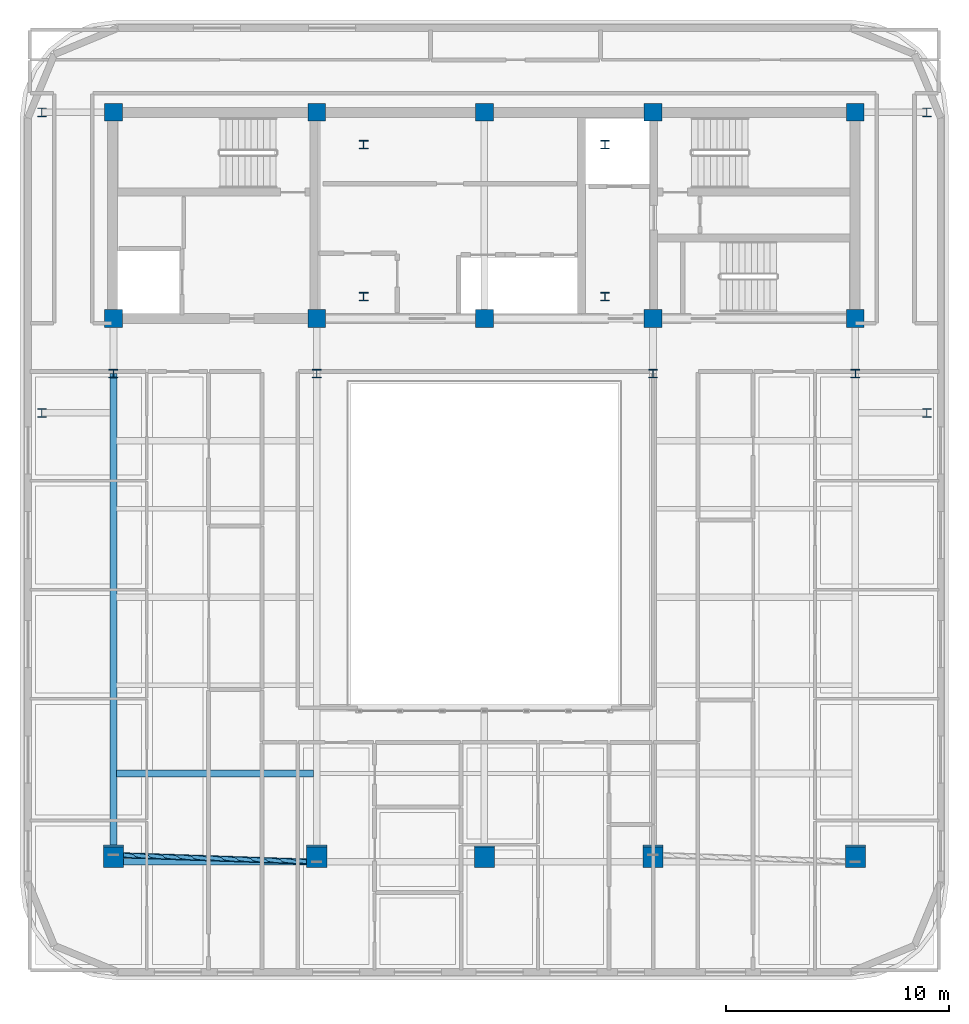
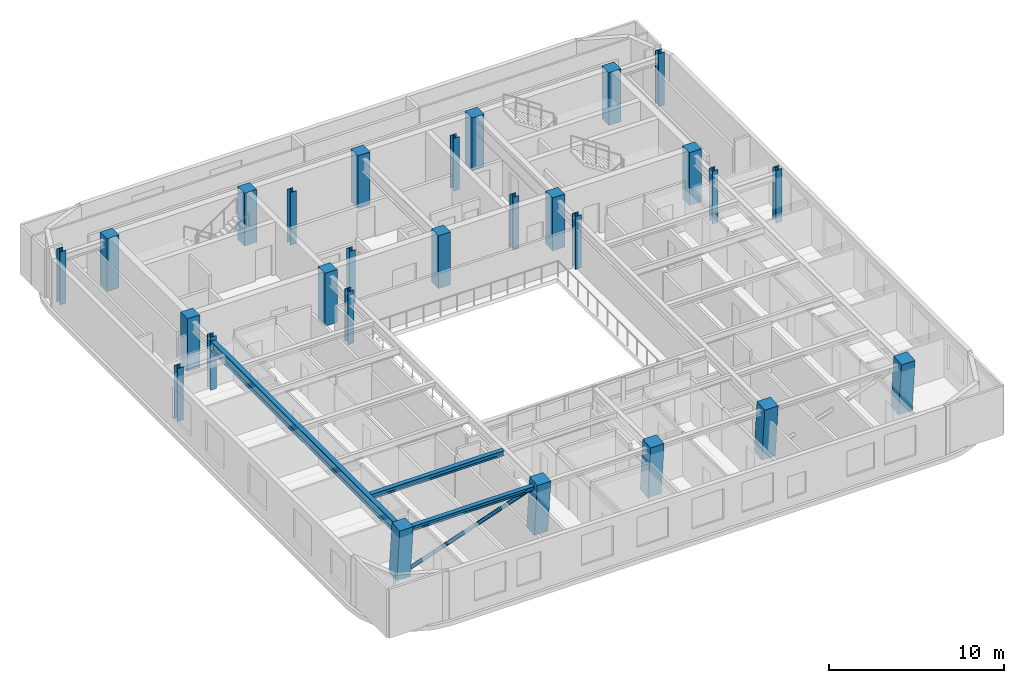
# One storey, part 1 of 13: 27 columns, 3 beams, 1 member.
"""IFC4 building model written with IfcOpenShell, lengths in metres."""

from ifc_helpers import new_model, si_unit, direction, frame, origin, origin_2d, place, context, subcontext, project, spatial, rectangle, hollow_circle, i_section, extrude, material, material_profile, profile_set, type_object, element, save


model = new_model("IFC4")

# Units and contexts
model_context = context("Model", 3, precision=1e-05, world=origin(), true_north=direction((0.0, 1.0)))
body_context = subcontext(model_context, "Body", "Model", "MODEL_VIEW")
ifc_project = project(units=[si_unit("LENGTHUNIT", "METRE"), si_unit("AREAUNIT", "SQUARE_METRE"), si_unit("VOLUMEUNIT", "CUBIC_METRE"), si_unit("PLANEANGLEUNIT", "RADIAN"), si_unit("MASSUNIT", "GRAM", prefix="KILO")], contexts=[model_context])

# Site, building, storey
site_placement = place(None, origin())
site = spatial("IfcSite", under=ifc_project, at=site_placement, CompositionType="ELEMENT")
building_placement = place(site_placement, origin())
building = spatial("IfcBuilding", under=site, at=building_placement, Name="Zarnavel Station Tower", CompositionType="ELEMENT")
storey_placement = place(building_placement, frame((0.0, 0.0, 247.300048828125)))
storey = spatial("IfcBuildingStorey", under=building, at=storey_placement, Name="L67", CompositionType="ELEMENT", Elevation=247.300048828125)

# Columns
ifc_material_1 = material(Name="Steel S355J2", Category="steel")
ifc_material_profile_1 = material_profile(ifc_material_1, i_section(OverallWidth=0.407958984375, OverallDepth=0.39990234375, WebThickness=0.02490234375, FlangeThickness=0.0390625, FilletRadius=0.014892578125, at=origin_2d()), Name="HD400x287")
ifc_profile_set_1 = profile_set([ifc_material_profile_1], Name="Steel S355J2")
column_type_1 = type_object("IfcColumnType", Name="EC_HD287", PredefinedType="COLUMN", material=ifc_profile_set_1)
for number, where, z_axis, x_axis, name in (
    (1, (9.0, 23.60009765625, 0.0), (0.0, 0.0, 1.0), (1.0, 0.0, 0.0), "L67 Inner Wing Spine Column 1-1"),
    (2, (9.0, 37.050048828125, 0.0), (0.0, 0.0, 1.0), (1.0, 0.0, 0.0), "L67 Inner Wing Spine Column 1-2"),
    (3, (48.60009765625, 23.60009765625, 0.0), (0.0, 0.0, 1.0), (1.0, 0.0, 0.0), "L67 Inner Wing Spine Column 2-1"),
    (4, (48.60009765625, 37.050048828125, 0.0), (0.0, 0.0, 1.0), (1.0, 0.0, 0.0), "L67 Inner Wing Spine Column 2-2"),
):
    element("IfcColumn", number, at=place(storey_placement, frame(where, z_axis=z_axis, x_axis=x_axis)), inside=storey, type_object=column_type_1, Name=name, PredefinedType="COLUMN", context=body_context, shape_type="SweptSolid", body=[
        extrude(i_section(OverallWidth=0.407958984375, OverallDepth=0.39990234375, WebThickness=0.02490234375, FlangeThickness=0.0390625, FilletRadius=0.014892578125, at=origin_2d()), origin(), (0.0, 0.0, 1.0), 3.699951171875),
    ])
ifc_material_2 = material(Name="Steel S355J2", Category="steel")
ifc_material_profile_2 = material_profile(ifc_material_2, i_section(OverallWidth=0.39501953125, OverallDepth=0.3798828125, WebThickness=0.018798828125, FlangeThickness=0.0302734375, FilletRadius=0.014892578125, at=origin_2d()), Name="HD400x237")
ifc_profile_set_2 = profile_set([ifc_material_profile_2], Name="Steel S355J2")
column_type_2 = type_object("IfcColumnType", Name="IC_HD237", PredefinedType="COLUMN", material=ifc_profile_set_2)
for number, where, z_axis, x_axis, name in (
    (5, (23.39990234375, 28.800048828125, 0.0), (0.0, 0.0, 1.0), (1.0, 0.0, 0.0), "L67 Mast Spine Column 1"),
    (6, (34.199951171875, 28.800048828125, 0.0), (0.0, 0.0, 1.0), (1.0, 0.0, 0.0), "L67 Mast Spine Column 2"),
    (7, (34.199951171875, 35.60009765625, 0.0), (0.0, 0.0, 1.0), (1.0, 0.0, 0.0), "L67 Mast Spine Column 3"),
    (8, (23.39990234375, 35.60009765625, 0.0), (0.0, 0.0, 1.0), (1.0, 0.0, 0.0), "L67 Mast Spine Column 4"),
    (9, (12.199951171875, 25.35009765625, 0.0), (0.0, 0.0, 1.0), (1.0, 0.0, 0.0), "L67 Inner Spine Column 1"),
    (10, (21.300048828125, 25.35009765625, 0.0), (0.0, 0.0, 1.0), (1.0, 0.0, 0.0), "L67 Inner Spine Column 2"),
    (11, (36.35009765625, 25.35009765625, 0.0), (0.0, 0.0, 1.0), (1.0, 0.0, 0.0), "L67 Inner Spine Column 4"),
    (12, (45.39990234375, 25.35009765625, 0.0), (0.0, 0.0, 1.0), (1.0, 0.0, 0.0), "L67 Inner Spine Column 5"),
):
    element("IfcColumn", number, at=place(storey_placement, frame(where, z_axis=z_axis, x_axis=x_axis)), inside=storey, type_object=column_type_2, Name=name, PredefinedType="COLUMN", context=body_context, shape_type="SweptSolid", body=[
        extrude(i_section(OverallWidth=0.39501953125, OverallDepth=0.3798828125, WebThickness=0.018798828125, FlangeThickness=0.0302734375, FilletRadius=0.014892578125, at=origin_2d()), origin(), (0.0, 0.0, 1.0), 3.699951171875),
    ])
ifc_material_3 = material(Name="Concrete C45/55", Category="concrete")
ifc_material_profile_3 = material_profile(ifc_material_3, rectangle(XDim=0.800048828125, YDim=0.800048828125, at=origin_2d()), Name="RC800x800")
ifc_profile_set_3 = profile_set([ifc_material_profile_3], Name="Concrete C45/55")
column_type_3 = type_object("IfcColumnType", Name="IC_RC800", PredefinedType="COLUMN", material=ifc_profile_set_3)
for number, where, z_axis, x_axis, name in (
    (13, (12.199951171875, 27.820068359375, 0.0), (0.0, 0.0, 1.0), (1.0, 0.0, 0.0), "L67 Core Spine Column 1-1"),
    (14, (12.199951171875, 37.050048828125, 0.0), (0.0, 0.0, 1.0), (1.0, 0.0, 0.0), "L67 Core Spine Column 1-2"),
    (15, (21.300048828125, 27.820068359375, 0.0), (0.0, 0.0, 1.0), (1.0, 0.0, 0.0), "L67 Core Spine Column 2-1"),
    (16, (21.300048828125, 37.050048828125, 0.0), (0.0, 0.0, 1.0), (1.0, 0.0, 0.0), "L67 Core Spine Column 2-2"),
    (17, (28.800048828125, 27.820068359375, 0.0), (0.0, 0.0, 1.0), (1.0, 0.0, 0.0), "L67 Core Spine Column 3-1"),
    (18, (28.800048828125, 37.050048828125, 0.0), (0.0, 0.0, 1.0), (1.0, 0.0, 0.0), "L67 Core Spine Column 3-2"),
    (19, (36.35009765625, 27.820068359375, 0.0), (0.0, 0.0, 1.0), (1.0, 0.0, 0.0), "L67 Core Spine Column 4-1"),
    (20, (36.35009765625, 37.050048828125, 0.0), (0.0, 0.0, 1.0), (1.0, 0.0, 0.0), "L67 Core Spine Column 4-2"),
    (21, (45.39990234375, 27.820068359375, 0.0), (0.0, 0.0, 1.0), (1.0, 0.0, 0.0), "L67 Core Spine Column 5-1"),
    (22, (45.39990234375, 37.050048828125, 0.0), (0.0, 0.0, 1.0), (1.0, 0.0, 0.0), "L67 Core Spine Column 5-2"),
):
    element("IfcColumn", number, at=place(storey_placement, frame(where, z_axis=z_axis, x_axis=x_axis)), inside=storey, type_object=column_type_3, Name=name, PredefinedType="COLUMN", context=body_context, shape_type="SweptSolid", body=[
        extrude(rectangle(XDim=0.800048828125, YDim=0.800048828125, at=origin_2d()), origin(), (0.0, 0.0, 1.0), 3.699951171875),
    ])
ifc_material_4 = material(Name="Concrete C50/60", Category="concrete")
ifc_material_profile_4 = material_profile(ifc_material_4, rectangle(XDim=0.89990234375, YDim=0.89990234375, at=origin_2d()), Name="RC900x900")
ifc_profile_set_4 = profile_set([ifc_material_profile_4], Name="Concrete C50/60")
column_type_4 = type_object("IfcColumnType", Name="MC_RC900", PredefinedType="COLUMN", material=ifc_profile_set_4)
for number, where, z_axis, x_axis, name in (
    (23, (12.199951171875, 3.817626953125, 0.0), (0.0, -0.090227632116, 0.995921168769), (1.0, 0.0, 0.0), "L67 Raked South Mega-Column 1"),
    (24, (21.300048828125, 3.817626953125, 0.0), (0.0, -0.090227632116, 0.995921168769), (1.0, 0.0, 0.0), "L67 Raked South Mega-Column 2"),
    (25, (28.800048828125, 3.817626953125, 0.0), (0.0, -0.090227632116, 0.995921168769), (1.0, 0.0, 0.0), "L67 Raked South Mega-Column 3"),
    (26, (36.35009765625, 3.817626953125, 0.0), (0.0, -0.090227632116, 0.995921168769), (1.0, 0.0, 0.0), "L67 Raked South Mega-Column 4"),
    (27, (45.39990234375, 3.817626953125, 0.0), (0.0, -0.090227632116, 0.995921168769), (1.0, 0.0, 0.0), "L67 Raked South Mega-Column 5"),
):
    element("IfcColumn", number, at=place(storey_placement, frame(where, z_axis=z_axis, x_axis=x_axis)), inside=storey, type_object=column_type_4, Name=name, PredefinedType="COLUMN", context=body_context, shape_type="SweptSolid", body=[
        extrude(rectangle(XDim=0.89990234375, YDim=0.89990234375, at=origin_2d()), origin(), (0.0, 0.0, 1.0), 3.715087890625),
    ])

# Member
ifc_material_5 = material(Name="Steel S355J2", Category="steel")
ifc_material_profile_5 = material_profile(ifc_material_5, hollow_circle(Radius=0.122314453125, WallThickness=0.010009765625, at=origin_2d()), Name="CHS244.5x10")
ifc_profile_set_5 = profile_set([ifc_material_profile_5], Name="Steel S355J2")
member_type = type_object("IfcMemberType", Name="DB_EXT_CHS245", PredefinedType="BRACE", material=ifc_profile_set_5)
member_placement = place(storey_placement, frame((12.199951171875, 3.817626953125, 0.0), z_axis=(0.935604187908, -0.031852811999, 0.351610867205), x_axis=(0.034025465636, 0.999420966204, 0.0)))
element("IfcMember", 28, at=member_placement, inside=storey, type_object=member_type, Name="L67 Persian Exterior Diagonal Frame Brace 1", PredefinedType="BRACE", context=body_context, shape_type="SweptSolid", body=[
    extrude(hollow_circle(Radius=0.122314453125, WallThickness=0.010009765625, at=origin_2d()), origin(), (0.0, 0.0, 1.0), 9.726318359375),
])

# Beams
ifc_material_6 = material(Name="Steel S355J2", Category="steel")
ifc_material_profile_6 = material_profile(ifc_material_6, i_section(OverallWidth=0.300048828125, OverallDepth=0.320068359375, WebThickness=0.011474609375, FlangeThickness=0.0205078125, FilletRadius=0.027099609375, at=origin_2d()), Name="HEB320")
ifc_profile_set_6 = profile_set([ifc_material_profile_6], Name="Steel S355J2")
beam_type_1 = type_object("IfcBeamType", Name="EB_HEB320", PredefinedType="SPANDREL", material=ifc_profile_set_6)
beam_1_placement = place(storey_placement, frame((12.199951171875, 3.5078125, 3.260009765625), z_axis=(1.0, 0.0, 0.0), x_axis=(0.0, 1.0, 0.0)))
element("IfcBeam", 29, at=beam_1_placement, inside=storey, type_object=beam_type_1, Name="L67 South Raked Spandrel 1", PredefinedType="SPANDREL", context=body_context, shape_type="SweptSolid", body=[
    extrude(i_section(OverallWidth=0.300048828125, OverallDepth=0.320068359375, WebThickness=0.011474609375, FlangeThickness=0.0205078125, FilletRadius=0.027099609375, at=origin_2d()), origin(), (0.0, 0.0, 1.0), 9.10009765625),
])
ifc_material_7 = material(Name="Steel S355J2", Category="steel")
ifc_material_profile_7 = material_profile(ifc_material_7, i_section(OverallWidth=0.300048828125, OverallDepth=0.35009765625, WebThickness=0.010009765625, FlangeThickness=0.017578125, FilletRadius=0.027099609375, at=origin_2d()), Name="HEA360")
ifc_profile_set_7 = profile_set([ifc_material_profile_7], Name="Steel S355J2")
beam_type_2 = type_object("IfcBeamType", Name="FB_HEA360", PredefinedType="BEAM", material=ifc_profile_set_7)
beam_2_placement = place(storey_placement, frame((12.344970703125, 7.456298828125, 3.244873046875), z_axis=(1.0, 0.0, 0.0), x_axis=(0.0, 1.0, 0.0)))
element("IfcBeam", 30, at=beam_2_placement, inside=storey, type_object=beam_type_2, Name="L67 West Bay Beam 1", PredefinedType="BEAM", context=body_context, shape_type="SweptSolid", body=[
    extrude(i_section(OverallWidth=0.300048828125, OverallDepth=0.35009765625, WebThickness=0.010009765625, FlangeThickness=0.017578125, FilletRadius=0.027099609375, at=origin_2d()), origin(), (0.0, 0.0, 1.0), 8.81005859375),
])
ifc_material_8 = material(Name="Steel S355J2", Category="steel")
ifc_material_profile_8 = material_profile(ifc_material_8, i_section(OverallWidth=0.300048828125, OverallDepth=0.699951171875, WebThickness=0.01708984375, FlangeThickness=0.031982421875, FilletRadius=0.027099609375, at=origin_2d()), Name="HEB700")
ifc_profile_set_8 = profile_set([ifc_material_profile_8], Name="Steel S355J2")
beam_type_3 = type_object("IfcBeamType", Name="FG_HEB700", PredefinedType="USERDEFINED", material=ifc_profile_set_8)
beam_3_placement = place(storey_placement, frame((12.199951171875, 3.5078125, 3.070068359375), z_axis=(0.0, 1.0, 0.0), x_axis=(-1.0, 0.0, 0.0)))
element("IfcBeam", 31, at=beam_3_placement, inside=storey, type_object=beam_type_3, Name="L67 South-Zone NS Girder 1", ObjectType="GIRDER", PredefinedType="USERDEFINED", context=body_context, shape_type="SweptSolid", body=[
    extrude(i_section(OverallWidth=0.300048828125, OverallDepth=0.699951171875, WebThickness=0.01708984375, FlangeThickness=0.031982421875, FilletRadius=0.027099609375, at=origin_2d()), origin(), (0.0, 0.0, 1.0), 21.84228515625),
])

save(model, "model.ifc")
